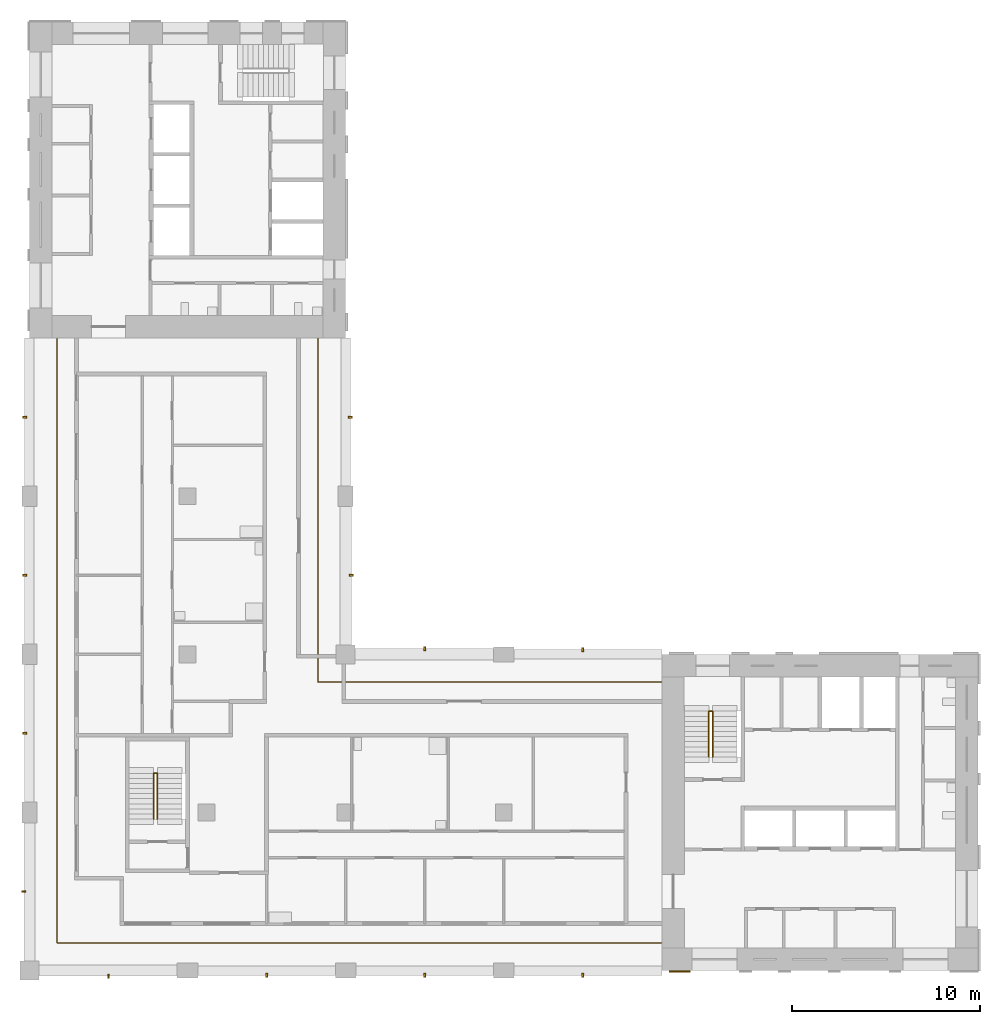
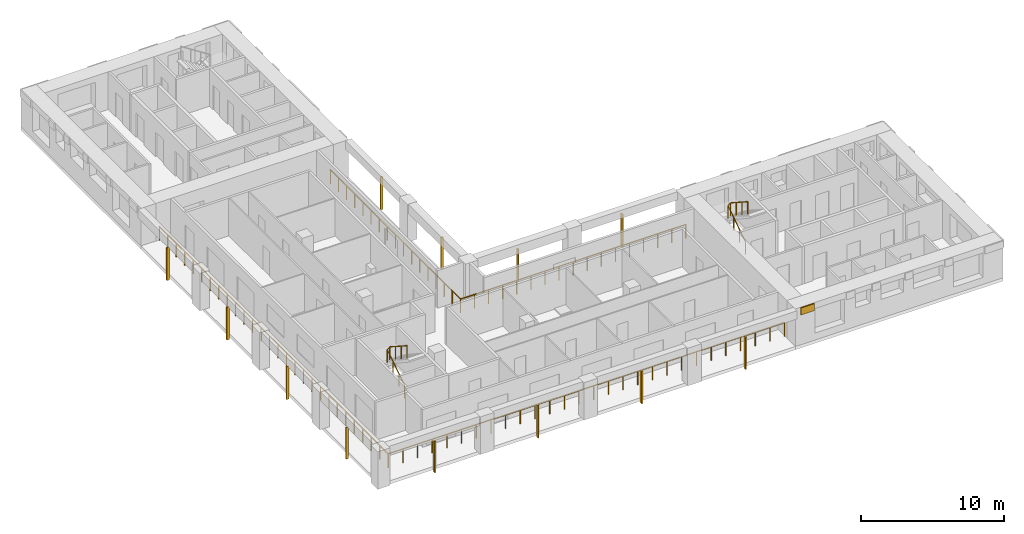
# One storey, part 7 of 9: 13 shading devices, 4 railings.
"""IFC4 building model written with IfcOpenShell, lengths in metres."""

from ifc_helpers import new_model, si_unit, direction, frame, origin, origin_2d, place, context, subcontext, project, spatial, rectangle, circle, extrude, material, layer, layer_set, material_profile, profile_set, type_object, element, save


model = new_model("IFC4")

# Units and contexts
model_context = context("Model", 3, precision=1e-05, world=origin(), true_north=direction((0.0, 1.0)))
body_context = subcontext(model_context, "Body", "Model", "MODEL_VIEW")
ifc_project = project(units=[si_unit("LENGTHUNIT", "METRE"), si_unit("AREAUNIT", "SQUARE_METRE"), si_unit("VOLUMEUNIT", "CUBIC_METRE"), si_unit("PLANEANGLEUNIT", "RADIAN"), si_unit("MASSUNIT", "GRAM", prefix="KILO")], contexts=[model_context])

# Site, building, storey
site_placement = place(None, origin())
site = spatial("IfcSite", under=ifc_project, at=site_placement, CompositionType="ELEMENT")
building_placement = place(site_placement, origin())
building = spatial("IfcBuilding", under=site, at=building_placement, Name="Vermilion Gate Residences", CompositionType="ELEMENT")
storey_placement = place(building_placement, frame((0.0, 0.0, 228.199951171875)))
storey = spatial("IfcBuildingStorey", under=building, at=storey_placement, Name="L59", CompositionType="ELEMENT", Elevation=228.199951171875)

# Railings
ifc_material_1 = material(Name="Stainless steel and toughened glass", Category="steel")
railing_type_1 = type_object("IfcRailingType", Name="LOGGIA GUARD STEEL AND GLASS 1200", PredefinedType="GUARDRAIL", material=ifc_material_1)
railing_1_placement = place(storey_placement, frame((41.97802734375, 23.72509765625, 0.0)))
element("IfcRailing", 1, at=railing_1_placement, inside=storey, type_object=railing_type_1, Name="Loggia guard", PredefinedType="GUARDRAIL", context=body_context, shape_type="SweptSolid", body=[
    extrude(circle(Radius=0.030029296875, at=origin_2d()), frame((0.0, 0.0, 1.169921875), z_axis=(-1.0, 0.0, 0.0), x_axis=(0.0, -1.0, 0.0)), (0.0, 0.0, 1.0), 18.2529296875),
    extrude(circle(Radius=0.030029296875, at=origin_2d()), frame((-18.2529296875, 0.0, 1.169921875), z_axis=(0.0, 1.0, 0.0), x_axis=(-1.0, 0.0, 0.0)), (0.0, 0.0, 1.0), 18.2529296875),
    extrude(circle(Radius=0.02490234375, at=origin_2d()), origin(), (0.0, 0.0, 1.0), 1.139892578125),
    extrude(circle(Radius=0.02490234375, at=origin_2d()), frame((-1.140869140625, 0.0, 0.0)), (0.0, 0.0, 1.0), 1.139892578125),
    extrude(circle(Radius=0.02490234375, at=origin_2d()), frame((-2.28173828125, 0.0, 0.0)), (0.0, 0.0, 1.0), 1.139892578125),
    extrude(circle(Radius=0.02490234375, at=origin_2d()), frame((-3.42236328125, 0.0, 0.0)), (0.0, 0.0, 1.0), 1.139892578125),
    extrude(circle(Radius=0.02490234375, at=origin_2d()), frame((-4.563232421875, 0.0, 0.0)), (0.0, 0.0, 1.0), 1.139892578125),
    extrude(circle(Radius=0.02490234375, at=origin_2d()), frame((-5.7041015625, 0.0, 0.0)), (0.0, 0.0, 1.0), 1.139892578125),
    extrude(circle(Radius=0.02490234375, at=origin_2d()), frame((-6.8447265625, 0.0, 0.0)), (0.0, 0.0, 1.0), 1.139892578125),
    extrude(circle(Radius=0.02490234375, at=origin_2d()), frame((-7.985595703125, 0.0, 0.0)), (0.0, 0.0, 1.0), 1.139892578125),
    extrude(circle(Radius=0.02490234375, at=origin_2d()), frame((-9.12646484375, 0.0, 0.0)), (0.0, 0.0, 1.0), 1.139892578125),
    extrude(circle(Radius=0.02490234375, at=origin_2d()), frame((-10.267333984375, 0.0, 0.0)), (0.0, 0.0, 1.0), 1.139892578125),
    extrude(circle(Radius=0.02490234375, at=origin_2d()), frame((-11.408203125, 0.0, 0.0)), (0.0, 0.0, 1.0), 1.139892578125),
    extrude(circle(Radius=0.02490234375, at=origin_2d()), frame((-12.548828125, 0.0, 0.0)), (0.0, 0.0, 1.0), 1.139892578125),
    extrude(circle(Radius=0.02490234375, at=origin_2d()), frame((-13.689697265625, 0.0, 0.0)), (0.0, 0.0, 1.0), 1.139892578125),
    extrude(circle(Radius=0.02490234375, at=origin_2d()), frame((-14.83056640625, 0.0, 0.0)), (0.0, 0.0, 1.0), 1.139892578125),
    extrude(circle(Radius=0.02490234375, at=origin_2d()), frame((-15.97119140625, 0.0, 0.0)), (0.0, 0.0, 1.0), 1.139892578125),
    extrude(circle(Radius=0.02490234375, at=origin_2d()), frame((-17.112060546875, 0.0, 0.0)), (0.0, 0.0, 1.0), 1.139892578125),
    extrude(circle(Radius=0.02490234375, at=origin_2d()), frame((-18.2529296875, 0.0, 0.0)), (0.0, 0.0, 1.0), 1.139892578125),
    extrude(circle(Radius=0.02490234375, at=origin_2d()), frame((-18.2529296875, 1.140869140625, 0.0)), (0.0, 0.0, 1.0), 1.139892578125),
    extrude(circle(Radius=0.02490234375, at=origin_2d()), frame((-18.2529296875, 2.28173828125, 0.0)), (0.0, 0.0, 1.0), 1.139892578125),
    extrude(circle(Radius=0.02490234375, at=origin_2d()), frame((-18.2529296875, 3.42236328125, 0.0)), (0.0, 0.0, 1.0), 1.139892578125),
    extrude(circle(Radius=0.02490234375, at=origin_2d()), frame((-18.2529296875, 4.563232421875, 0.0)), (0.0, 0.0, 1.0), 1.139892578125),
    extrude(circle(Radius=0.02490234375, at=origin_2d()), frame((-18.2529296875, 5.7041015625, 0.0)), (0.0, 0.0, 1.0), 1.139892578125),
    extrude(circle(Radius=0.02490234375, at=origin_2d()), frame((-18.2529296875, 6.8447265625, 0.0)), (0.0, 0.0, 1.0), 1.139892578125),
    extrude(circle(Radius=0.02490234375, at=origin_2d()), frame((-18.2529296875, 7.985595703125, 0.0)), (0.0, 0.0, 1.0), 1.139892578125),
    extrude(circle(Radius=0.02490234375, at=origin_2d()), frame((-18.2529296875, 9.12646484375, 0.0)), (0.0, 0.0, 1.0), 1.139892578125),
    extrude(circle(Radius=0.02490234375, at=origin_2d()), frame((-18.2529296875, 10.267333984375, 0.0)), (0.0, 0.0, 1.0), 1.139892578125),
    extrude(circle(Radius=0.02490234375, at=origin_2d()), frame((-18.2529296875, 11.408203125, 0.0)), (0.0, 0.0, 1.0), 1.139892578125),
    extrude(circle(Radius=0.02490234375, at=origin_2d()), frame((-18.2529296875, 12.548828125, 0.0)), (0.0, 0.0, 1.0), 1.139892578125),
    extrude(circle(Radius=0.02490234375, at=origin_2d()), frame((-18.2529296875, 13.689697265625, 0.0)), (0.0, 0.0, 1.0), 1.139892578125),
    extrude(circle(Radius=0.02490234375, at=origin_2d()), frame((-18.2529296875, 14.83056640625, 0.0)), (0.0, 0.0, 1.0), 1.139892578125),
    extrude(circle(Radius=0.02490234375, at=origin_2d()), frame((-18.2529296875, 15.97119140625, 0.0)), (0.0, 0.0, 1.0), 1.139892578125),
    extrude(circle(Radius=0.02490234375, at=origin_2d()), frame((-18.2529296875, 17.112060546875, 0.0)), (0.0, 0.0, 1.0), 1.139892578125),
    extrude(circle(Radius=0.02490234375, at=origin_2d()), frame((-18.2529296875, 18.2529296875, 0.0)), (0.0, 0.0, 1.0), 1.139892578125),
])
railing_2_placement = place(storey_placement, frame((9.875, 41.97802734375, 0.0)))
element("IfcRailing", 2, at=railing_2_placement, inside=storey, type_object=railing_type_1, Name="Loggia guard", PredefinedType="GUARDRAIL", context=body_context, shape_type="SweptSolid", body=[
    extrude(circle(Radius=0.030029296875, at=origin_2d()), frame((0.0, 0.0, 1.169921875), z_axis=(0.0, -1.0, 0.0), x_axis=(1.0, 0.0, 0.0)), (0.0, 0.0, 1.0), 32.10302734375),
    extrude(circle(Radius=0.030029296875, at=origin_2d()), frame((0.0, -32.10302734375, 1.169921875), z_axis=(1.0, 0.0, 0.0), x_axis=(0.0, 1.0, 0.0)), (0.0, 0.0, 1.0), 32.10302734375),
    extrude(circle(Radius=0.02490234375, at=origin_2d()), origin(), (0.0, 0.0, 1.0), 1.139892578125),
    extrude(circle(Radius=0.02490234375, at=origin_2d()), frame((0.0, -1.18896484375, 0.0)), (0.0, 0.0, 1.0), 1.139892578125),
    extrude(circle(Radius=0.02490234375, at=origin_2d()), frame((0.0, -2.3779296875, 0.0)), (0.0, 0.0, 1.0), 1.139892578125),
    extrude(circle(Radius=0.02490234375, at=origin_2d()), frame((0.0, -3.56689453125, 0.0)), (0.0, 0.0, 1.0), 1.139892578125),
    extrude(circle(Radius=0.02490234375, at=origin_2d()), frame((0.0, -4.756103515625, 0.0)), (0.0, 0.0, 1.0), 1.139892578125),
    extrude(circle(Radius=0.02490234375, at=origin_2d()), frame((0.0, -5.945068359375, 0.0)), (0.0, 0.0, 1.0), 1.139892578125),
    extrude(circle(Radius=0.02490234375, at=origin_2d()), frame((0.0, -7.134033203125, 0.0)), (0.0, 0.0, 1.0), 1.139892578125),
    extrude(circle(Radius=0.02490234375, at=origin_2d()), frame((0.0, -8.322998046875, 0.0)), (0.0, 0.0, 1.0), 1.139892578125),
    extrude(circle(Radius=0.02490234375, at=origin_2d()), frame((0.0, -9.511962890625, 0.0)), (0.0, 0.0, 1.0), 1.139892578125),
    extrude(circle(Radius=0.02490234375, at=origin_2d()), frame((0.0, -10.700927734375, 0.0)), (0.0, 0.0, 1.0), 1.139892578125),
    extrude(circle(Radius=0.02490234375, at=origin_2d()), frame((0.0, -11.889892578125, 0.0)), (0.0, 0.0, 1.0), 1.139892578125),
    extrude(circle(Radius=0.02490234375, at=origin_2d()), frame((0.0, -13.0791015625, 0.0)), (0.0, 0.0, 1.0), 1.139892578125),
    extrude(circle(Radius=0.02490234375, at=origin_2d()), frame((0.0, -14.26806640625, 0.0)), (0.0, 0.0, 1.0), 1.139892578125),
    extrude(circle(Radius=0.02490234375, at=origin_2d()), frame((0.0, -15.45703125, 0.0)), (0.0, 0.0, 1.0), 1.139892578125),
    extrude(circle(Radius=0.02490234375, at=origin_2d()), frame((0.0, -16.64599609375, 0.0)), (0.0, 0.0, 1.0), 1.139892578125),
    extrude(circle(Radius=0.02490234375, at=origin_2d()), frame((0.0, -17.8349609375, 0.0)), (0.0, 0.0, 1.0), 1.139892578125),
    extrude(circle(Radius=0.02490234375, at=origin_2d()), frame((0.0, -19.02392578125, 0.0)), (0.0, 0.0, 1.0), 1.139892578125),
    extrude(circle(Radius=0.02490234375, at=origin_2d()), frame((0.0, -20.213134765625, 0.0)), (0.0, 0.0, 1.0), 1.139892578125),
    extrude(circle(Radius=0.02490234375, at=origin_2d()), frame((0.0, -21.402099609375, 0.0)), (0.0, 0.0, 1.0), 1.139892578125),
    extrude(circle(Radius=0.02490234375, at=origin_2d()), frame((0.0, -22.591064453125, 0.0)), (0.0, 0.0, 1.0), 1.139892578125),
    extrude(circle(Radius=0.02490234375, at=origin_2d()), frame((0.0, -23.780029296875, 0.0)), (0.0, 0.0, 1.0), 1.139892578125),
    extrude(circle(Radius=0.02490234375, at=origin_2d()), frame((0.0, -24.968994140625, 0.0)), (0.0, 0.0, 1.0), 1.139892578125),
    extrude(circle(Radius=0.02490234375, at=origin_2d()), frame((0.0, -26.157958984375, 0.0)), (0.0, 0.0, 1.0), 1.139892578125),
    extrude(circle(Radius=0.02490234375, at=origin_2d()), frame((0.0, -27.346923828125, 0.0)), (0.0, 0.0, 1.0), 1.139892578125),
    extrude(circle(Radius=0.02490234375, at=origin_2d()), frame((0.0, -28.5361328125, 0.0)), (0.0, 0.0, 1.0), 1.139892578125),
    extrude(circle(Radius=0.02490234375, at=origin_2d()), frame((0.0, -29.72509765625, 0.0)), (0.0, 0.0, 1.0), 1.139892578125),
    extrude(circle(Radius=0.02490234375, at=origin_2d()), frame((0.0, -30.9140625, 0.0)), (0.0, 0.0, 1.0), 1.139892578125),
    extrude(circle(Radius=0.02490234375, at=origin_2d()), frame((0.0, -32.10302734375, 0.0)), (0.0, 0.0, 1.0), 1.139892578125),
    extrude(circle(Radius=0.02490234375, at=origin_2d()), frame((1.18896484375, -32.10302734375, 0.0)), (0.0, 0.0, 1.0), 1.139892578125),
    extrude(circle(Radius=0.02490234375, at=origin_2d()), frame((2.3779296875, -32.10302734375, 0.0)), (0.0, 0.0, 1.0), 1.139892578125),
    extrude(circle(Radius=0.02490234375, at=origin_2d()), frame((3.56689453125, -32.10302734375, 0.0)), (0.0, 0.0, 1.0), 1.139892578125),
    extrude(circle(Radius=0.02490234375, at=origin_2d()), frame((4.756103515625, -32.10302734375, 0.0)), (0.0, 0.0, 1.0), 1.139892578125),
    extrude(circle(Radius=0.02490234375, at=origin_2d()), frame((5.945068359375, -32.10302734375, 0.0)), (0.0, 0.0, 1.0), 1.139892578125),
    extrude(circle(Radius=0.02490234375, at=origin_2d()), frame((7.134033203125, -32.10302734375, 0.0)), (0.0, 0.0, 1.0), 1.139892578125),
    extrude(circle(Radius=0.02490234375, at=origin_2d()), frame((8.322998046875, -32.10302734375, 0.0)), (0.0, 0.0, 1.0), 1.139892578125),
    extrude(circle(Radius=0.02490234375, at=origin_2d()), frame((9.511962890625, -32.10302734375, 0.0)), (0.0, 0.0, 1.0), 1.139892578125),
    extrude(circle(Radius=0.02490234375, at=origin_2d()), frame((10.700927734375, -32.10302734375, 0.0)), (0.0, 0.0, 1.0), 1.139892578125),
    extrude(circle(Radius=0.02490234375, at=origin_2d()), frame((11.889892578125, -32.10302734375, 0.0)), (0.0, 0.0, 1.0), 1.139892578125),
    extrude(circle(Radius=0.02490234375, at=origin_2d()), frame((13.0791015625, -32.10302734375, 0.0)), (0.0, 0.0, 1.0), 1.139892578125),
    extrude(circle(Radius=0.02490234375, at=origin_2d()), frame((14.26806640625, -32.10302734375, 0.0)), (0.0, 0.0, 1.0), 1.139892578125),
    extrude(circle(Radius=0.02490234375, at=origin_2d()), frame((15.45703125, -32.10302734375, 0.0)), (0.0, 0.0, 1.0), 1.139892578125),
    extrude(circle(Radius=0.02490234375, at=origin_2d()), frame((16.64599609375, -32.10302734375, 0.0)), (0.0, 0.0, 1.0), 1.139892578125),
    extrude(circle(Radius=0.02490234375, at=origin_2d()), frame((17.8349609375, -32.10302734375, 0.0)), (0.0, 0.0, 1.0), 1.139892578125),
    extrude(circle(Radius=0.02490234375, at=origin_2d()), frame((19.02392578125, -32.10302734375, 0.0)), (0.0, 0.0, 1.0), 1.139892578125),
    extrude(circle(Radius=0.02490234375, at=origin_2d()), frame((20.213134765625, -32.10302734375, 0.0)), (0.0, 0.0, 1.0), 1.139892578125),
    extrude(circle(Radius=0.02490234375, at=origin_2d()), frame((21.402099609375, -32.10302734375, 0.0)), (0.0, 0.0, 1.0), 1.139892578125),
    extrude(circle(Radius=0.02490234375, at=origin_2d()), frame((22.591064453125, -32.10302734375, 0.0)), (0.0, 0.0, 1.0), 1.139892578125),
    extrude(circle(Radius=0.02490234375, at=origin_2d()), frame((23.780029296875, -32.10302734375, 0.0)), (0.0, 0.0, 1.0), 1.139892578125),
    extrude(circle(Radius=0.02490234375, at=origin_2d()), frame((24.968994140625, -32.10302734375, 0.0)), (0.0, 0.0, 1.0), 1.139892578125),
    extrude(circle(Radius=0.02490234375, at=origin_2d()), frame((26.157958984375, -32.10302734375, 0.0)), (0.0, 0.0, 1.0), 1.139892578125),
    extrude(circle(Radius=0.02490234375, at=origin_2d()), frame((27.346923828125, -32.10302734375, 0.0)), (0.0, 0.0, 1.0), 1.139892578125),
    extrude(circle(Radius=0.02490234375, at=origin_2d()), frame((28.5361328125, -32.10302734375, 0.0)), (0.0, 0.0, 1.0), 1.139892578125),
    extrude(circle(Radius=0.02490234375, at=origin_2d()), frame((29.72509765625, -32.10302734375, 0.0)), (0.0, 0.0, 1.0), 1.139892578125),
    extrude(circle(Radius=0.02490234375, at=origin_2d()), frame((30.9140625, -32.10302734375, 0.0)), (0.0, 0.0, 1.0), 1.139892578125),
    extrude(circle(Radius=0.02490234375, at=origin_2d()), frame((32.10302734375, -32.10302734375, 0.0)), (0.0, 0.0, 1.0), 1.139892578125),
])
ifc_material_2 = material(Name="Steel S355", Category="steel")
railing_type_2 = type_object("IfcRailingType", Name="STAIR GUARD 1100 STEEL", PredefinedType="GUARDRAIL", material=ifc_material_2)
for number, where, name in (
    (3, (44.5, 19.75, 0.175048828125), "Stair well guard STA1-59"),
    (4, (15.0, 16.449951171875, 0.175048828125), "Stair well guard STC1-59"),
):
    element("IfcRailing", number, at=place(storey_placement, frame(where)), inside=storey, type_object=railing_type_2, Name=name, PredefinedType="GUARDRAIL", context=body_context, shape_type="SweptSolid", body=[
        extrude(circle(Radius=0.02392578125, at=origin_2d()), frame((0.0, 0.0, 1.076171875), z_axis=(0.0, 0.839153699163, 0.543894354798), x_axis=(-1.0, 0.0, 0.0)), (0.0, 0.0, 1.0), 2.895751953125),
        extrude(circle(Radius=0.02392578125, at=origin_2d()), frame((0.0, 2.429931640625, 2.65087890625), z_axis=(0.752405939678, 0.0, 0.658699705433), x_axis=(0.0, 1.0, 0.0)), (0.0, 0.0, 1.0), 0.265869140625),
        extrude(circle(Radius=0.02392578125, at=origin_2d()), frame((0.199951171875, 2.429931640625, 2.826171875), z_axis=(0.0, -0.839153699163, 0.543894354798), x_axis=(1.0, 0.0, 0.0)), (0.0, 0.0, 1.0), 2.895751953125),
        extrude(circle(Radius=0.02099609375, at=origin_2d()), origin(), (0.0, 0.0, 1.0), 1.052001953125),
        extrude(circle(Radius=0.02099609375, at=origin_2d()), frame((0.0, 0.81005859375, 0.52490234375)), (0.0, 0.0, 1.0), 1.052001953125),
        extrude(circle(Radius=0.02099609375, at=origin_2d()), frame((0.0, 1.619873046875, 1.050048828125)), (0.0, 0.0, 1.0), 1.052001953125),
        extrude(circle(Radius=0.02099609375, at=origin_2d()), frame((0.0, 2.429931640625, 1.574951171875)), (0.0, 0.0, 1.0), 1.052001953125),
        extrude(circle(Radius=0.02099609375, at=origin_2d()), frame((0.199951171875, 2.429931640625, 1.75)), (0.0, 0.0, 1.0), 1.052001953125),
        extrude(circle(Radius=0.02099609375, at=origin_2d()), frame((0.199951171875, 1.619873046875, 2.27490234375)), (0.0, 0.0, 1.0), 1.052001953125),
        extrude(circle(Radius=0.02099609375, at=origin_2d()), frame((0.199951171875, 0.81005859375, 2.800048828125)), (0.0, 0.0, 1.0), 1.052001953125),
        extrude(circle(Radius=0.02099609375, at=origin_2d()), frame((0.199951171875, 0.0, 3.324951171875)), (0.0, 0.0, 1.0), 1.052001953125),
    ])

# Shading devices
ifc_material_3 = material(Name="Extruded terracotta", Category="masonry")
ifc_material_profile = material_profile(ifc_material_3, rectangle(XDim=0.199951171875, YDim=0.10009765625, at=origin_2d()), Name="BAGUETTE 100 X 200")
ifc_profile_set = profile_set([ifc_material_profile], Name="Extruded terracotta")
shading_device_type_1 = type_object("IfcShadingDeviceType", Name="TERRACOTTA BAGUETTE 100 X 200", PredefinedType="JALOUSIE", material=ifc_profile_set)
shading_device_1_placement = place(storey_placement, frame((12.60009765625, 8.10009765625, -0.280029296875), z_axis=(0.0, 0.0, 1.0), x_axis=(0.0, 1.0, 0.0)))
element("IfcShadingDevice", 5, at=shading_device_1_placement, inside=storey, type_object=shading_device_type_1, Name="BAGUETTE", PredefinedType="JALOUSIE", context=body_context, shape_type="SweptSolid", body=[
    extrude(rectangle(XDim=0.199951171875, YDim=0.10009765625, at=origin_2d()), origin(), (0.0, 0.0, 1.0), 2.7001953125),
])
for number, where, z_axis, x_axis, name in (
    (6, (21.0, 8.14990234375, -0.280029296875), (0.0, 0.0, 1.0), (0.0, 1.0, 0.0), "BAGUETTE"),
    (7, (29.39990234375, 8.14990234375, -0.280029296875), (0.0, 0.0, 1.0), (0.0, 1.0, 0.0), "BAGUETTE"),
    (8, (37.800048828125, 8.14990234375, -0.280029296875), (0.0, 0.0, 1.0), (0.0, 1.0, 0.0), "BAGUETTE"),
):
    element("IfcShadingDevice", number, at=place(storey_placement, frame(where, z_axis=z_axis, x_axis=x_axis)), inside=storey, type_object=shading_device_type_1, Name=name, PredefinedType="JALOUSIE", context=body_context, shape_type="SweptSolid", body=[
        extrude(rectangle(XDim=0.199951171875, YDim=0.10009765625, at=origin_2d()), origin(), (0.0, 0.0, 1.0), 2.800048828125),
    ])
shading_device_2_placement = place(storey_placement, frame((29.39990234375, 25.5, -0.280029296875), z_axis=(0.0, 0.0, 1.0), x_axis=(0.0, -1.0, 0.0)))
element("IfcShadingDevice", 9, at=shading_device_2_placement, inside=storey, type_object=shading_device_type_1, Name="BAGUETTE", PredefinedType="JALOUSIE", context=body_context, shape_type="SweptSolid", body=[
    extrude(rectangle(XDim=0.199951171875, YDim=0.10009765625, at=origin_2d()), origin(), (0.0, 0.0, 1.0), 2.7001953125),
])
shading_device_3_placement = place(storey_placement, frame((37.800048828125, 25.449951171875, -0.280029296875), z_axis=(0.0, 0.0, 1.0), x_axis=(0.0, -1.0, 0.0)))
element("IfcShadingDevice", 10, at=shading_device_3_placement, inside=storey, type_object=shading_device_type_1, Name="BAGUETTE", PredefinedType="JALOUSIE", context=body_context, shape_type="SweptSolid", body=[
    extrude(rectangle(XDim=0.199951171875, YDim=0.10009765625, at=origin_2d()), origin(), (0.0, 0.0, 1.0), 2.800048828125),
])
shading_device_4_placement = place(storey_placement, frame((25.5, 29.39990234375, -0.280029296875), z_axis=(0.0, 0.0, 1.0), x_axis=(-1.0, 0.0, 0.0)))
element("IfcShadingDevice", 11, at=shading_device_4_placement, inside=storey, type_object=shading_device_type_1, Name="BAGUETTE", PredefinedType="JALOUSIE", context=body_context, shape_type="SweptSolid", body=[
    extrude(rectangle(XDim=0.199951171875, YDim=0.10009765625, at=origin_2d()), origin(), (0.0, 0.0, 1.0), 2.7001953125),
])
shading_device_5_placement = place(storey_placement, frame((25.449951171875, 37.800048828125, -0.280029296875), z_axis=(0.0, 0.0, 1.0), x_axis=(-1.0, 0.0, 0.0)))
element("IfcShadingDevice", 12, at=shading_device_5_placement, inside=storey, type_object=shading_device_type_1, Name="BAGUETTE", PredefinedType="JALOUSIE", context=body_context, shape_type="SweptSolid", body=[
    extrude(rectangle(XDim=0.199951171875, YDim=0.10009765625, at=origin_2d()), origin(), (0.0, 0.0, 1.0), 2.800048828125),
])
shading_device_6_placement = place(storey_placement, frame((8.10009765625, 12.60009765625, -0.280029296875), z_axis=(0.0, 0.0, 1.0), x_axis=(1.0, 0.0, 0.0)))
element("IfcShadingDevice", 13, at=shading_device_6_placement, inside=storey, type_object=shading_device_type_1, Name="BAGUETTE", PredefinedType="JALOUSIE", context=body_context, shape_type="SweptSolid", body=[
    extrude(rectangle(XDim=0.199951171875, YDim=0.10009765625, at=origin_2d()), origin(), (0.0, 0.0, 1.0), 2.7001953125),
])
for number, where, z_axis, x_axis, name in (
    (14, (8.14990234375, 21.0, -0.280029296875), (0.0, 0.0, 1.0), (1.0, 0.0, 0.0), "BAGUETTE"),
    (15, (8.14990234375, 29.39990234375, -0.280029296875), (0.0, 0.0, 1.0), (1.0, 0.0, 0.0), "BAGUETTE"),
    (16, (8.14990234375, 37.800048828125, -0.280029296875), (0.0, 0.0, 1.0), (1.0, 0.0, 0.0), "BAGUETTE"),
):
    element("IfcShadingDevice", number, at=place(storey_placement, frame(where, z_axis=z_axis, x_axis=x_axis)), inside=storey, type_object=shading_device_type_1, Name=name, PredefinedType="JALOUSIE", context=body_context, shape_type="SweptSolid", body=[
        extrude(rectangle(XDim=0.199951171875, YDim=0.10009765625, at=origin_2d()), origin(), (0.0, 0.0, 1.0), 2.800048828125),
    ])
ifc_material_4 = material(Name="Extruded terracotta", Category="masonry")
ifc_layer = layer(ifc_material_4, 0.10009765625)
ifc_layer_set = layer_set([ifc_layer], Name="TERRACOTTA SPANDREL BAND 600 X 100")
shading_device_type_2 = type_object("IfcShadingDeviceType", Name="TERRACOTTA SPANDREL BAND 600 X 100", PredefinedType="USERDEFINED", material=ifc_layer_set)
shading_device_7_placement = place(storey_placement, frame((42.949951171875, 8.35009765625, 2.6201171875), z_axis=(0.0, 0.0, 1.0), x_axis=(1.0, 0.0, 0.0)))
element("IfcShadingDevice", 17, at=shading_device_7_placement, inside=storey, type_object=shading_device_type_2, Name="SPANDREL BAND", ObjectType="BAND", PredefinedType="USERDEFINED", context=body_context, shape_type="SweptSolid", body=[
    extrude(rectangle(XDim=1.10009765625, YDim=0.10009765625, at=origin_2d()), origin(), (0.0, 0.0, 1.0), 0.60009765625),
])

save(model, "model.ifc")
